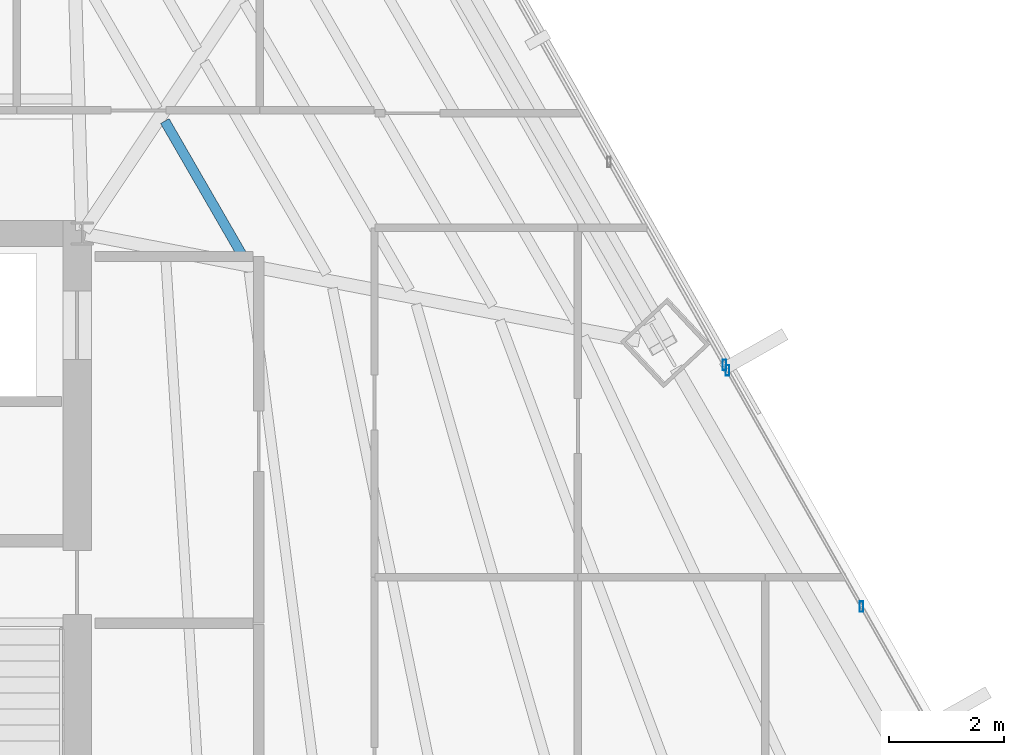
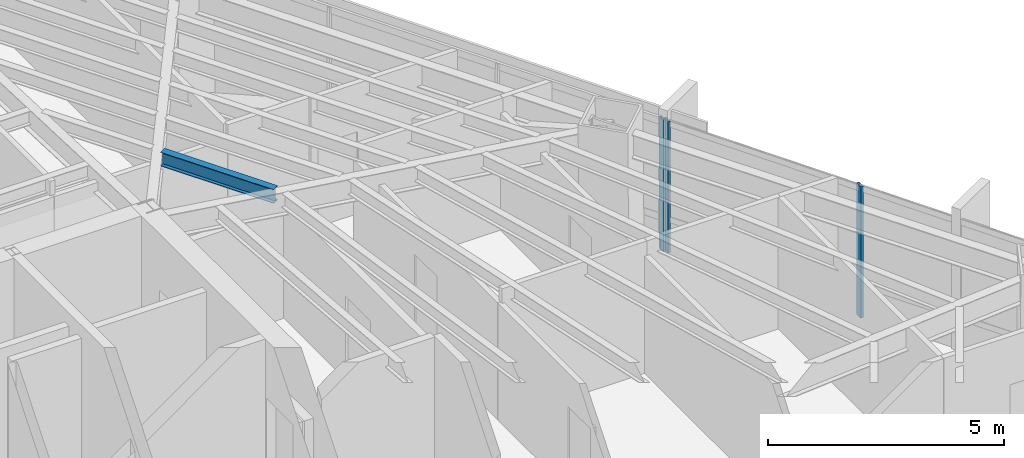
# One storey, part 22 of 37: 3 members, 1 beam, 2 elements without a shape of their own.
"""IFC4 building model written with IfcOpenShell, lengths in metres."""

from ifc_helpers import new_model, si_unit, direction, frame, origin, origin_2d, place, context, subcontext, project, spatial, hollow_rectangle, i_section, extrude, source, transform, mapped, material, material_profile, profile_set, type_object, type_shapes, element, aggregate, save


model = new_model("IFC4")

# Units and contexts
model_context = context("Model", 3, precision=1e-05, world=origin(), true_north=direction((0.0, 1.0)))
body_context = subcontext(model_context, "Body", "Model", "MODEL_VIEW")
ifc_project = project(units=[si_unit("LENGTHUNIT", "METRE"), si_unit("AREAUNIT", "SQUARE_METRE"), si_unit("VOLUMEUNIT", "CUBIC_METRE"), si_unit("PLANEANGLEUNIT", "RADIAN"), si_unit("MASSUNIT", "GRAM", prefix="KILO")], contexts=[model_context])

# Site, building, storey
site_placement = place(None, origin())
site = spatial("IfcSite", under=ifc_project, at=site_placement, CompositionType="ELEMENT")
building_placement = place(site_placement, origin())
building = spatial("IfcBuilding", under=site, at=building_placement, Name="Caelisora Broadcast Tower", CompositionType="ELEMENT")
storey_placement = place(building_placement, frame((0.0, 0.0, 120.0)))
storey = spatial("IfcBuildingStorey", under=building, at=storey_placement, Name="L31", CompositionType="ELEMENT", Elevation=120.0)

# Beam
ifc_material_1 = material(Name="Steel Grade 350 (AS/NZS 3679.1)", Category="steel")
ifc_material_profile_1 = material_profile(ifc_material_1, i_section(OverallWidth=0.172119140625, OverallDepth=0.358642578125, WebThickness=0.008056640625, FlangeThickness=0.012939453125, at=origin_2d()), Name="Steel Grade 350 (AS/NZS 3679.1)")
ifc_profile_set_1 = profile_set([ifc_material_profile_1], Name="Steel Grade 350 (AS/NZS 3679.1)")
beam_type = type_object("IfcBeamType", Name="SB02", PredefinedType="JOIST", material=ifc_profile_set_1)
shared_shape_1 = source(origin(), body_context, "Body", "SweptSolid", [
    extrude(i_section(OverallWidth=0.172119140625, OverallDepth=0.358642578125, WebThickness=0.008056640625, FlangeThickness=0.012939453125, at=origin_2d()), origin(), (0.0, 0.0, 1.0), 2.761474609375),
])
type_shapes(beam_type, [shared_shape_1])
beam_placement = place(storey_placement, frame((48.321533203125, 29.5712890625, 3.220703125), z_axis=(-0.499952043821, 0.866053089527, 0.0), x_axis=(-0.866053089527, -0.499952043821, 0.0)))
element("IfcBeam", 1, at=beam_placement, inside=storey, type_object=beam_type, Name="L31 beam SB02", PredefinedType="JOIST", context=body_context, shape_type="MappedRepresentation", body=[
    mapped(shared_shape_1, transform((0.0, 0.0, 0.0), scale=1.0)),
])

# Curtain wall, member
ifc_material_2 = material(Name="Unitised Aluminium Insulated Shadow-Box Spandrel Curtain Wall", Category="aluminium")
curtain_wall_type_1 = type_object("IfcCurtainWallType", Name="CW-SP1", PredefinedType="NOTDEFINED", material=ifc_material_2)
curtain_wall_1_placement = place(storey_placement, origin())
curtain_wall_1 = element("IfcCurtainWall", 2, at=curtain_wall_1_placement, inside=storey, type_object=curtain_wall_type_1, Name="L31 curtain wall CW-SP1", PredefinedType="NOTDEFINED")
ifc_material_3 = material(Name="Aluminium 6063-T6 Anodised Terracotta Bronze", Category="aluminium")
ifc_material_profile_2 = material_profile(ifc_material_3, hollow_rectangle(XDim=0.06494140625, YDim=0.179931640625, WallThickness=0.00341796875, at=origin_2d()), Name="Aluminium 6063-T6 Anodised Terracotta Bronze")
ifc_profile_set_2 = profile_set([ifc_material_profile_2], Name="Aluminium 6063-T6 Anodised Terracotta Bronze")
member_type = type_object("IfcMemberType", Name="CWM-02", PredefinedType="MULLION", material=ifc_profile_set_2)
shared_shape_2 = source(origin(), body_context, "Body", "SweptSolid", [
    extrude(hollow_rectangle(XDim=0.06494140625, YDim=0.179931640625, WallThickness=0.00341796875, at=origin_2d()), origin(), (0.0, 0.0, 1.0), 3.39990234375),
])
type_shapes(member_type, [shared_shape_2])
member_1_placement = place(storey_placement, frame((56.705810546875, 27.70751953125, 0.0), z_axis=(0.0, 0.0, 1.0), x_axis=(1.0, 0.0, 0.0)))
member_1 = element("IfcMember", 3, at=member_1_placement, type_object=member_type, Name="L31-CW-B02 mullion #3", PredefinedType="MULLION", context=body_context, shape_type="MappedRepresentation", body=[
    mapped(shared_shape_2, transform((0.0, 0.0, 0.0), scale=1.0)),
])
aggregate(curtain_wall_1, [member_1])

# Curtain wall, members
ifc_material_4 = material(Name="Unitised Aluminium and Low-E Glass Curtain Wall", Category="glass")
curtain_wall_type_2 = type_object("IfcCurtainWallType", Name="CW-Z2", PredefinedType="NOTDEFINED", material=ifc_material_4)
curtain_wall_2_placement = place(storey_placement, origin())
curtain_wall_2 = element("IfcCurtainWall", 4, at=curtain_wall_2_placement, inside=storey, type_object=curtain_wall_type_2, Name="L31 curtain wall CW-Z2", PredefinedType="NOTDEFINED")
member_2_placement = place(storey_placement, frame((56.760009765625, 27.61181640625, 0.0), z_axis=(0.0, 0.0, 1.0), x_axis=(1.0, 0.0, 0.0)))
member_2 = element("IfcMember", 5, at=member_2_placement, type_object=member_type, Name="L31-CW-B03 mullion #0", PredefinedType="MULLION", context=body_context, shape_type="MappedRepresentation", body=[
    mapped(shared_shape_2, transform((0.0, 0.0, 0.0), scale=1.0)),
])
member_3_placement = place(storey_placement, frame((59.099853515625, 23.490478515625, 0.0), z_axis=(0.0, 0.0, 1.0), x_axis=(1.0, 0.0, 0.0)))
member_3 = element("IfcMember", 6, at=member_3_placement, type_object=member_type, Name="L31-CW-B03 mullion #1", PredefinedType="MULLION", context=body_context, shape_type="MappedRepresentation", body=[
    mapped(shared_shape_2, transform((0.0, 0.0, 0.0), scale=1.0)),
])
aggregate(curtain_wall_2, [member_2, member_3])

save(model, "model.ifc")
